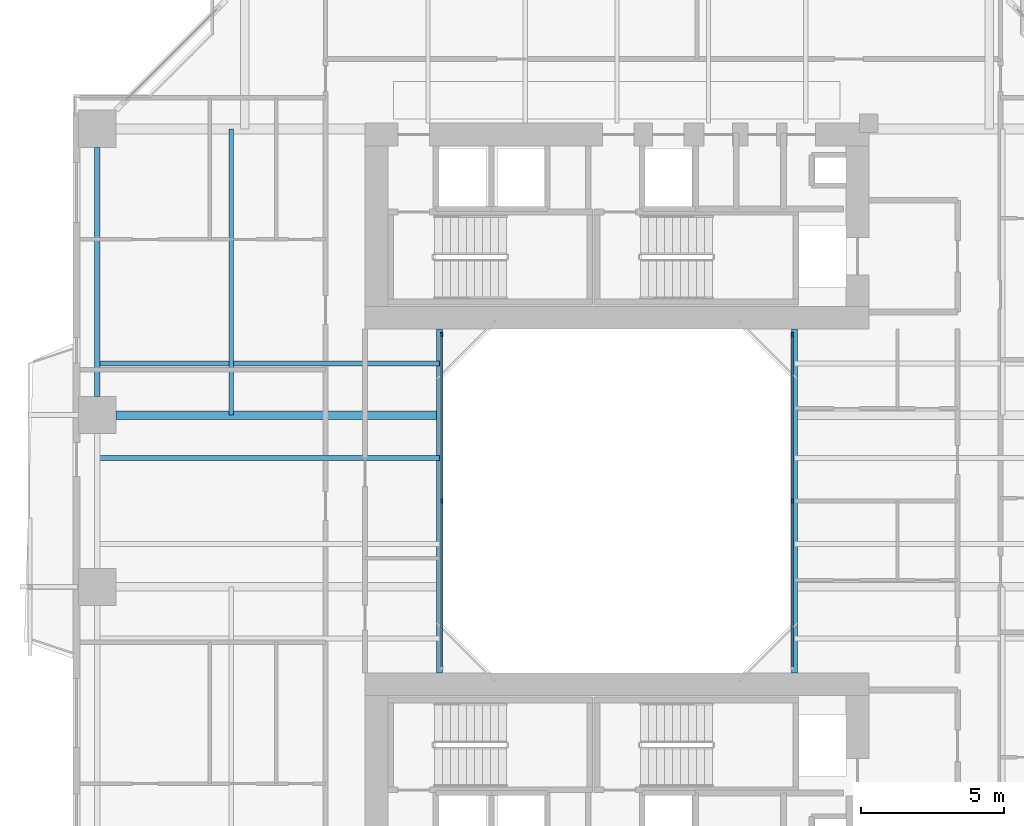
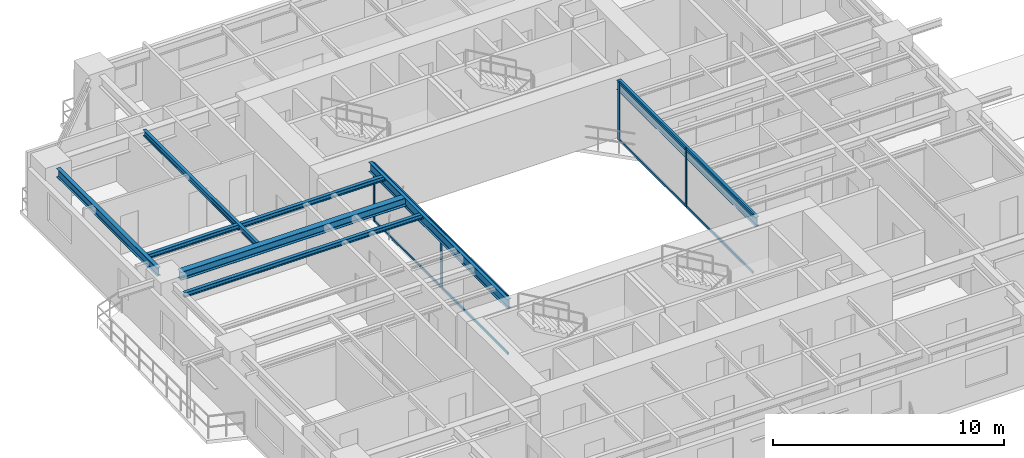
# One storey, part 4 of 23: 12 members, 7 beams, 2 elements without a shape of their own.
"""IFC4 building model written with IfcOpenShell, lengths in metres."""

from ifc_helpers import new_model, si_unit, direction, frame, origin, origin_2d, place, context, subcontext, project, spatial, rectangle, i_section, extrude, source, transform, mapped, material, layer, layer_set, material_profile, profile_set, type_object, element, aggregate, save


model = new_model("IFC4")

# Units and contexts
model_context = context("Model", 3, precision=1e-05, world=origin(), true_north=direction((0.0, 1.0)))
body_context = subcontext(model_context, "Body", "Model", "MODEL_VIEW")
ifc_project = project(units=[si_unit("LENGTHUNIT", "METRE"), si_unit("AREAUNIT", "SQUARE_METRE"), si_unit("VOLUMEUNIT", "CUBIC_METRE"), si_unit("PLANEANGLEUNIT", "RADIAN"), si_unit("MASSUNIT", "GRAM", prefix="KILO"), si_unit("THERMODYNAMICTEMPERATUREUNIT", "KELVIN"), si_unit("POWERUNIT", "WATT")], contexts=[model_context])

# Site, building, storey
site_placement = place(None, origin())
site = spatial("IfcSite", under=ifc_project, at=site_placement, CompositionType="ELEMENT")
building_placement = place(site_placement, origin())
building = spatial("IfcBuilding", under=site, at=building_placement, Name="Qiaomeng Ring Towers", CompositionType="ELEMENT")
storey_placement = place(building_placement, frame((0.0, 0.0, 50.25)))
storey = spatial("IfcBuildingStorey", under=building, at=storey_placement, Name="L13", CompositionType="ELEMENT", Elevation=50.25)

# Beams
ifc_material_1 = material(Name="Steel Q355B", Category="steel")
ifc_material_profile_1 = material_profile(ifc_material_1, i_section(OverallWidth=0.199951171875, OverallDepth=0.5, WebThickness=0.010009765625, FlangeThickness=0.01611328125, FilletRadius=0.02001953125, at=origin_2d()), Name="HN 500x200x10x16")
ifc_profile_set_1 = profile_set([ifc_material_profile_1], Name="Steel Q355B")
beam_type_1 = type_object("IfcBeamType", Name="STR-BM-HN500", PredefinedType="BEAM", material=ifc_profile_set_1)
shared_shape_1 = source(origin(), body_context, "Body", "SweptSolid", [
    extrude(i_section(OverallWidth=0.199951171875, OverallDepth=0.5, WebThickness=0.010009765625, FlangeThickness=0.01611328125, FilletRadius=0.02001953125, at=origin_2d()), origin(), (0.0, 0.0, 1.0), 12.0),
])
for number, where, z_axis, x_axis, name in (
    (1, (12.800048828125, 17.0, 2.820068359375), (0.0, 1.0, 0.0), (-1.0, 0.0, 0.0), "L13 beam STR-BM-L13-WELL-W"),
    (2, (25.199951171875, 17.0, 2.820068359375), (0.0, 1.0, 0.0), (-1.0, 0.0, 0.0), "L13 beam STR-BM-L13-WELL-E"),
):
    element("IfcBeam", number, at=place(storey_placement, frame(where, z_axis=z_axis, x_axis=x_axis)), inside=storey, type_object=beam_type_1, Name=name, PredefinedType="BEAM", context=body_context, shape_type="MappedRepresentation", body=[
        mapped(shared_shape_1, transform((0.0, 0.0, 0.0), x_axis=(1.0, 0.0, 0.0), y_axis=(0.0, 1.0, 0.0), z_axis=(0.0, 0.0, 1.0), scale=1.0)),
    ])
ifc_material_profile_2 = material_profile(ifc_material_1, i_section(OverallWidth=0.199951171875, OverallDepth=0.449951171875, WebThickness=0.009033203125, FlangeThickness=0.013916015625, FilletRadius=0.01806640625, at=origin_2d()), Name="HN 450x200x9x14")
ifc_profile_set_2 = profile_set([ifc_material_profile_2], Name="Steel Q355B")
beam_type_2 = type_object("IfcBeamType", Name="STR-BM-HN450", PredefinedType="SPANDREL", material=ifc_profile_set_2)
shared_shape_2 = source(origin(), body_context, "Body", "SweptSolid", [
    extrude(i_section(OverallWidth=0.199951171875, OverallDepth=0.449951171875, WebThickness=0.009033203125, FlangeThickness=0.013916015625, FilletRadius=0.01806640625, at=origin_2d()), origin(), (0.0, 0.0, 1.0), 8.7021484375),
])
beam_1_placement = place(storey_placement, frame((0.85009765625, 35.35107421875, 2.844970703125), z_axis=(0.0, -1.0, 0.0), x_axis=(1.0, 0.0, 0.0)))
element("IfcBeam", 3, at=beam_1_placement, inside=storey, type_object=beam_type_2, Name="L13 beam STR-SP-L13-T1-W4-W3", PredefinedType="SPANDREL", context=body_context, shape_type="MappedRepresentation", body=[
    mapped(shared_shape_2, transform((0.0, 0.0, 0.0), x_axis=(1.0, 0.0, 0.0), y_axis=(0.0, 1.0, 0.0), z_axis=(0.0, 0.0, 1.0), scale=1.0)),
])
ifc_material_profile_3 = material_profile(ifc_material_1, i_section(OverallWidth=0.300048828125, OverallDepth=0.43994140625, WebThickness=0.010986328125, FlangeThickness=0.01806640625, FilletRadius=0.02392578125, at=origin_2d()), Name="HM 440x300x11x18")
ifc_profile_set_3 = profile_set([ifc_material_profile_3], Name="Steel Q355B")
beam_type_3 = type_object("IfcBeamType", Name="STR-BM-HM440", PredefinedType="BEAM", material=ifc_profile_set_3)
shared_shape_3 = source(origin(), body_context, "Body", "SweptSolid", [
    extrude(i_section(OverallWidth=0.300048828125, OverallDepth=0.43994140625, WebThickness=0.010986328125, FlangeThickness=0.01806640625, FilletRadius=0.02392578125, at=origin_2d()), origin(), (0.0, 0.0, 1.0), 11.301025390625),
])
beam_2_placement = place(storey_placement, frame((1.4990234375, 26.0, 2.85009765625), z_axis=(1.0, 0.0, 0.0), x_axis=(0.0, 1.0, 0.0)))
element("IfcBeam", 4, at=beam_2_placement, inside=storey, type_object=beam_type_3, Name="L13 beam STR-BM-L13-T1-RAD-W3", PredefinedType="BEAM", context=body_context, shape_type="MappedRepresentation", body=[
    mapped(shared_shape_3, transform((0.0, 0.0, 0.0), x_axis=(1.0, 0.0, 0.0), y_axis=(0.0, 1.0, 0.0), z_axis=(0.0, 0.0, 1.0), scale=1.0)),
])
ifc_material_profile_4 = material_profile(ifc_material_1, i_section(OverallWidth=0.175048828125, OverallDepth=0.243896484375, WebThickness=0.007080078125, FlangeThickness=0.010986328125, FilletRadius=0.01611328125, at=origin_2d()), Name="HM 244x175x7x11")
ifc_profile_set_4 = profile_set([ifc_material_profile_4], Name="Steel Q355B")
beam_type_4 = type_object("IfcBeamType", Name="STR-BM-HM244", PredefinedType="JOIST", material=ifc_profile_set_4)
shared_shape_4 = source(origin(), body_context, "Body", "SweptSolid", [
    extrude(i_section(OverallWidth=0.175048828125, OverallDepth=0.243896484375, WebThickness=0.007080078125, FlangeThickness=0.010986328125, FilletRadius=0.01611328125, at=origin_2d()), origin(), (0.0, 0.0, 1.0), 11.949951171875),
])
for number, where, z_axis, x_axis, name in (
    (5, (0.85009765625, 24.5, 2.947998046875), (1.0, 0.0, 0.0), (0.0, 1.0, 0.0), "L13 beam STR-JST-L13-T1W-3"),
    (6, (0.85009765625, 27.800048828125, 2.947998046875), (1.0, 0.0, 0.0), (0.0, 1.0, 0.0), "L13 beam STR-JST-L13-T1W-4"),
):
    element("IfcBeam", number, at=place(storey_placement, frame(where, z_axis=z_axis, x_axis=x_axis)), inside=storey, type_object=beam_type_4, Name=name, PredefinedType="JOIST", context=body_context, shape_type="MappedRepresentation", body=[
        mapped(shared_shape_4, transform((0.0, 0.0, 0.0), x_axis=(1.0, 0.0, 0.0), y_axis=(0.0, 1.0, 0.0), z_axis=(0.0, 0.0, 1.0), scale=1.0)),
    ])
ifc_material_profile_5 = material_profile(ifc_material_1, i_section(OverallWidth=0.14990234375, OverallDepth=0.300048828125, WebThickness=0.006591796875, FlangeThickness=0.009033203125, FilletRadius=0.012939453125, at=origin_2d()), Name="HN 300x150x6.5x9")
ifc_profile_set_5 = profile_set([ifc_material_profile_5], Name="Steel Q355B")
beam_type_5 = type_object("IfcBeamType", Name="STR-BM-HN300", PredefinedType="JOIST", material=ifc_profile_set_5)
shared_shape_5 = source(origin(), body_context, "Body", "SweptSolid", [
    extrude(i_section(OverallWidth=0.14990234375, OverallDepth=0.300048828125, WebThickness=0.006591796875, FlangeThickness=0.009033203125, FilletRadius=0.012939453125, at=origin_2d()), origin(), (0.0, 0.0, 1.0), 10.0),
])
beam_3_placement = place(storey_placement, frame((5.52490234375, 26.0, 2.919921875), z_axis=(0.0, 1.0, 0.0), x_axis=(-1.0, 0.0, 0.0)))
element("IfcBeam", 7, at=beam_3_placement, inside=storey, type_object=beam_type_5, Name="L13 beam STR-JST-L13-T1C-WN", PredefinedType="JOIST", context=body_context, shape_type="MappedRepresentation", body=[
    mapped(shared_shape_5, transform((0.0, 0.0, 0.0), x_axis=(1.0, 0.0, 0.0), y_axis=(0.0, 1.0, 0.0), z_axis=(0.0, 0.0, 1.0), scale=1.0)),
])

# Curtain wall, members
ifc_material_2 = material(Name="Fluorocarbon dark-grey aluminium", Category="aluminium")
ifc_layer = layer(ifc_material_2, 0.139892578125, Name="Fluorocarbon dark-grey aluminium")
ifc_layer_set = layer_set([ifc_layer], Name="Fluorocarbon dark-grey aluminium")
curtain_wall_type = type_object("IfcCurtainWallType", Name="ARC-CW-4", PredefinedType="NOTDEFINED", material=ifc_layer_set)
curtain_wall_1_placement = place(storey_placement, origin())
curtain_wall_1 = element("IfcCurtainWall", 8, at=curtain_wall_1_placement, inside=storey, type_object=curtain_wall_type, Name="L13 Curtain Wall CW4", PredefinedType="NOTDEFINED")
ifc_material_profile_6 = material_profile(ifc_material_2, rectangle(XDim=0.06494140625, YDim=0.159912109375, at=origin_2d()), Name="ALU MULL 65x160")
ifc_profile_set_6 = profile_set([ifc_material_profile_6], Name="Fluorocarbon dark-grey aluminium")
member_type_1 = type_object("IfcMemberType", Name="ARC-CWM-140", PredefinedType="MULLION", material=ifc_profile_set_6)
shared_shape_6 = source(origin(), body_context, "Body", "SweptSolid", [
    extrude(rectangle(XDim=0.06494140625, YDim=0.159912109375, at=origin_2d()), origin(), (0.0, 0.0, 1.0), 3.070068359375),
])
member_1_placement = place(storey_placement, frame((12.8798828125, 23.0, 0.0), z_axis=(0.0, 0.0, 1.0), x_axis=(-1.0, 0.0, 0.0)))
member_1 = element("IfcMember", 9, at=member_1_placement, type_object=member_type_1, Name="CW4 mullion 2", PredefinedType="MULLION", context=body_context, shape_type="MappedRepresentation", body=[
    mapped(shared_shape_6, transform((0.0, 0.0, 0.0), x_axis=(1.0, 0.0, 0.0), y_axis=(0.0, 1.0, 0.0), z_axis=(0.0, 0.0, 1.0), scale=1.0)),
])
member_2_placement = place(storey_placement, frame((12.8798828125, 28.8173828125, 0.0), z_axis=(0.0, 0.0, 1.0), x_axis=(-1.0, 0.0, 0.0)))
member_2 = element("IfcMember", 10, at=member_2_placement, type_object=member_type_1, Name="CW4 mullion 3", PredefinedType="MULLION", context=body_context, shape_type="MappedRepresentation", body=[
    mapped(shared_shape_6, transform((0.0, 0.0, 0.0), x_axis=(1.0, 0.0, 0.0), y_axis=(0.0, 1.0, 0.0), z_axis=(0.0, 0.0, 1.0), scale=1.0)),
])

curtain_wall_2_placement = place(storey_placement, origin())
curtain_wall_2 = element("IfcCurtainWall", 11, at=curtain_wall_2_placement, inside=storey, type_object=curtain_wall_type, Name="L13 Curtain Wall CW4", PredefinedType="NOTDEFINED")
member_3_placement = place(storey_placement, frame((25.1201171875, 23.0, 0.0), z_axis=(0.0, 0.0, 1.0), x_axis=(-1.0, 0.0, 0.0)))
member_3 = element("IfcMember", 12, at=member_3_placement, type_object=member_type_1, Name="CW4 mullion 2", PredefinedType="MULLION", context=body_context, shape_type="MappedRepresentation", body=[
    mapped(shared_shape_6, transform((0.0, 0.0, 0.0), x_axis=(1.0, 0.0, 0.0), y_axis=(0.0, 1.0, 0.0), z_axis=(0.0, 0.0, 1.0), scale=1.0)),
])
member_4_placement = place(storey_placement, frame((25.1201171875, 28.8173828125, 0.0), z_axis=(0.0, 0.0, 1.0), x_axis=(-1.0, 0.0, 0.0)))
member_4 = element("IfcMember", 13, at=member_4_placement, type_object=member_type_1, Name="CW4 mullion 3", PredefinedType="MULLION", context=body_context, shape_type="MappedRepresentation", body=[
    mapped(shared_shape_6, transform((0.0, 0.0, 0.0), x_axis=(1.0, 0.0, 0.0), y_axis=(0.0, 1.0, 0.0), z_axis=(0.0, 0.0, 1.0), scale=1.0)),
])

# Member
ifc_material_profile_7 = material_profile(ifc_material_2, rectangle(XDim=0.06494140625, YDim=0.1298828125, at=origin_2d()), Name="ALU TRAN 65x130")
ifc_profile_set_7 = profile_set([ifc_material_profile_7], Name="Fluorocarbon dark-grey aluminium")
member_type_2 = type_object("IfcMemberType", Name="ARC-CWT-120", PredefinedType="USERDEFINED", material=ifc_profile_set_7)
shared_shape_7 = source(origin(), body_context, "Body", "SweptSolid", [
    extrude(rectangle(XDim=0.06494140625, YDim=0.1298828125, at=origin_2d()), origin(), (0.0, 0.0, 1.0), 5.75244140625),
])
member_5_placement = place(storey_placement, frame((12.8798828125, 17.215087890625, 0.032470703125), z_axis=(0.0, 1.0, 0.0), x_axis=(-1.0, 0.0, 0.0)))
member_5 = element("IfcMember", 14, at=member_5_placement, type_object=member_type_2, Name="CW4 transom 1.1", ObjectType="TRANSOM", PredefinedType="USERDEFINED", context=body_context, shape_type="MappedRepresentation", body=[
    mapped(shared_shape_7, transform((0.0, 0.0, 0.0), x_axis=(1.0, 0.0, 0.0), y_axis=(0.0, 1.0, 0.0), z_axis=(0.0, 0.0, 1.0), scale=1.0)),
])

member_6_placement = place(storey_placement, frame((12.8798828125, 17.215087890625, 3.03759765625), z_axis=(0.0, 1.0, 0.0), x_axis=(-1.0, 0.0, 0.0)))
member_6 = element("IfcMember", 15, at=member_6_placement, type_object=member_type_2, Name="CW4 transom 1.2", ObjectType="TRANSOM", PredefinedType="USERDEFINED", context=body_context, shape_type="MappedRepresentation", body=[
    mapped(shared_shape_7, transform((0.0, 0.0, 0.0), x_axis=(1.0, 0.0, 0.0), y_axis=(0.0, 1.0, 0.0), z_axis=(0.0, 0.0, 1.0), scale=1.0)),
])

member_7_placement = place(storey_placement, frame((12.8798828125, 23.032470703125, 0.032470703125), z_axis=(0.0, 1.0, 0.0), x_axis=(-1.0, 0.0, 0.0)))
member_7 = element("IfcMember", 16, at=member_7_placement, type_object=member_type_2, Name="CW4 transom 2.1", ObjectType="TRANSOM", PredefinedType="USERDEFINED", context=body_context, shape_type="MappedRepresentation", body=[
    mapped(shared_shape_7, transform((0.0, 0.0, 0.0), x_axis=(1.0, 0.0, 0.0), y_axis=(0.0, 1.0, 0.0), z_axis=(0.0, 0.0, 1.0), scale=1.0)),
])

member_8_placement = place(storey_placement, frame((12.8798828125, 23.032470703125, 3.03759765625), z_axis=(0.0, 1.0, 0.0), x_axis=(-1.0, 0.0, 0.0)))
member_8 = element("IfcMember", 17, at=member_8_placement, type_object=member_type_2, Name="CW4 transom 2.2", ObjectType="TRANSOM", PredefinedType="USERDEFINED", context=body_context, shape_type="MappedRepresentation", body=[
    mapped(shared_shape_7, transform((0.0, 0.0, 0.0), x_axis=(1.0, 0.0, 0.0), y_axis=(0.0, 1.0, 0.0), z_axis=(0.0, 0.0, 1.0), scale=1.0)),
])

aggregate(curtain_wall_1, [member_1, member_2, member_5, member_6, member_7, member_8])

member_9_placement = place(storey_placement, frame((25.1201171875, 17.215087890625, 0.032470703125), z_axis=(0.0, 1.0, 0.0), x_axis=(-1.0, 0.0, 0.0)))
member_9 = element("IfcMember", 18, at=member_9_placement, type_object=member_type_2, Name="CW4 transom 1.1", ObjectType="TRANSOM", PredefinedType="USERDEFINED", context=body_context, shape_type="MappedRepresentation", body=[
    mapped(shared_shape_7, transform((0.0, 0.0, 0.0), x_axis=(1.0, 0.0, 0.0), y_axis=(0.0, 1.0, 0.0), z_axis=(0.0, 0.0, 1.0), scale=1.0)),
])

member_10_placement = place(storey_placement, frame((25.1201171875, 17.215087890625, 3.03759765625), z_axis=(0.0, 1.0, 0.0), x_axis=(-1.0, 0.0, 0.0)))
member_10 = element("IfcMember", 19, at=member_10_placement, type_object=member_type_2, Name="CW4 transom 1.2", ObjectType="TRANSOM", PredefinedType="USERDEFINED", context=body_context, shape_type="MappedRepresentation", body=[
    mapped(shared_shape_7, transform((0.0, 0.0, 0.0), x_axis=(1.0, 0.0, 0.0), y_axis=(0.0, 1.0, 0.0), z_axis=(0.0, 0.0, 1.0), scale=1.0)),
])

member_11_placement = place(storey_placement, frame((25.1201171875, 23.032470703125, 0.032470703125), z_axis=(0.0, 1.0, 0.0), x_axis=(-1.0, 0.0, 0.0)))
member_11 = element("IfcMember", 20, at=member_11_placement, type_object=member_type_2, Name="CW4 transom 2.1", ObjectType="TRANSOM", PredefinedType="USERDEFINED", context=body_context, shape_type="MappedRepresentation", body=[
    mapped(shared_shape_7, transform((0.0, 0.0, 0.0), x_axis=(1.0, 0.0, 0.0), y_axis=(0.0, 1.0, 0.0), z_axis=(0.0, 0.0, 1.0), scale=1.0)),
])

member_12_placement = place(storey_placement, frame((25.1201171875, 23.032470703125, 3.03759765625), z_axis=(0.0, 1.0, 0.0), x_axis=(-1.0, 0.0, 0.0)))
member_12 = element("IfcMember", 21, at=member_12_placement, type_object=member_type_2, Name="CW4 transom 2.2", ObjectType="TRANSOM", PredefinedType="USERDEFINED", context=body_context, shape_type="MappedRepresentation", body=[
    mapped(shared_shape_7, transform((0.0, 0.0, 0.0), x_axis=(1.0, 0.0, 0.0), y_axis=(0.0, 1.0, 0.0), z_axis=(0.0, 0.0, 1.0), scale=1.0)),
])

aggregate(curtain_wall_2, [member_3, member_4, member_9, member_10, member_11, member_12])

save(model, "model.ifc")
